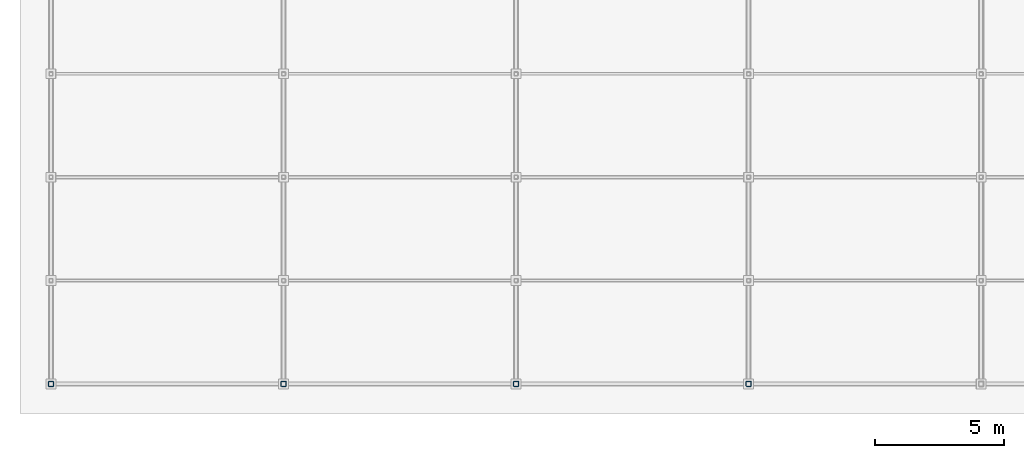
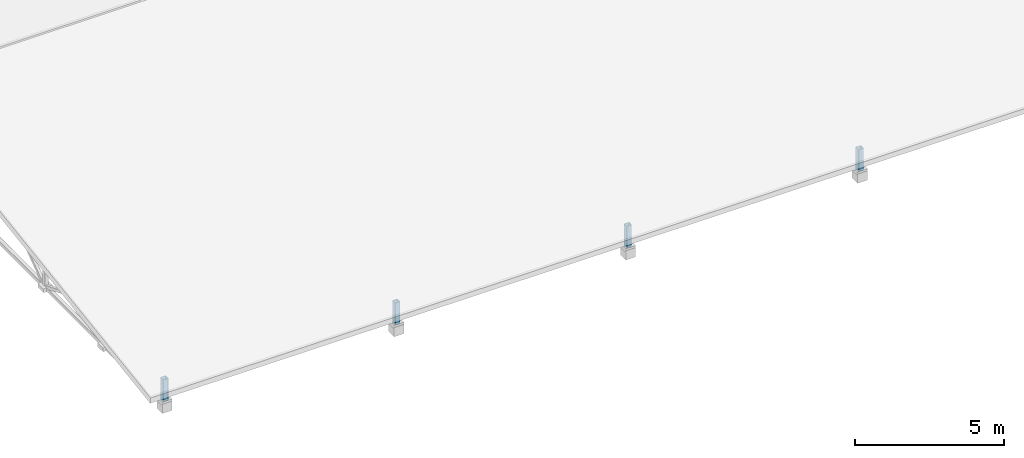
# One storey, part 71 of 118: 4 members.
"""IFC4 building model written with IfcOpenShell, lengths in metres."""

from ifc_helpers import new_model, si_unit, direction, frame, origin, origin_2d, place, context, subcontext, project, spatial, hollow_rectangle, extrude, material, material_profile, profile_set, type_object, element, save


model = new_model("IFC4")

# Units and contexts
model_context = context("Model", 3, precision=1e-05, world=origin(), true_north=direction((0.0, 1.0)))
body_context = subcontext(model_context, "Body", "Model", "MODEL_VIEW")
ifc_project = project(units=[si_unit("LENGTHUNIT", "METRE"), si_unit("AREAUNIT", "SQUARE_METRE"), si_unit("VOLUMEUNIT", "CUBIC_METRE"), si_unit("PLANEANGLEUNIT", "RADIAN"), si_unit("MASSUNIT", "GRAM", prefix="KILO"), si_unit("THERMODYNAMICTEMPERATUREUNIT", "KELVIN"), si_unit("POWERUNIT", "WATT")], contexts=[model_context])

# Site, building, storey
site_placement = place(None, origin())
site = spatial("IfcSite", under=ifc_project, at=site_placement, CompositionType="ELEMENT")
building_placement = place(site_placement, origin())
building = spatial("IfcBuilding", under=site, at=building_placement, Name="Zelmaris Science Centre", CompositionType="ELEMENT")
storey_placement = place(building_placement, frame((0.0, 0.0, 15.60009765625)))
storey = spatial("IfcBuildingStorey", under=building, at=storey_placement, Name="L03", CompositionType="ELEMENT", Elevation=15.60009765625)

# Members
ifc_material = material(Name="Steel ASTM A500 Grade C", Category="steel")
ifc_material_profile = material_profile(ifc_material, hollow_rectangle(XDim=0.203125, YDim=0.203125, WallThickness=0.01171875, InnerFilletRadius=0.01171875, OuterFilletRadius=0.023681640625, at=origin_2d()), Name="HSS203X203X13")
ifc_profile_set = profile_set([ifc_material_profile], Name="Steel ASTM A500 Grade C")
member_type = type_object("IfcMemberType", Name="Structural Brace BR-02 HSS203X203X13", PredefinedType="BRACE", material=ifc_profile_set)
for number, where, z_axis, x_axis, name in (
    (1, (9.0, 8.0, 0.099853515625), (0.0, 0.0, 1.0), (1.0, 0.0, 0.0), "RF-V3 Roof truss 1 end post VS"),
    (2, (18.0, 8.0, 0.099853515625), (0.0, 0.0, 1.0), (1.0, 0.0, 0.0), "RF-V3 Roof truss 2 end post VS"),
    (3, (27.0, 8.0, 0.099853515625), (0.0, 0.0, 1.0), (1.0, 0.0, 0.0), "RF-V3 Roof truss 3 end post VS"),
    (4, (36.0, 8.0, 0.099853515625), (0.0, 0.0, 1.0), (1.0, 0.0, 0.0), "RF-V3 Roof truss 4 end post VS"),
):
    element("IfcMember", number, at=place(storey_placement, frame(where, z_axis=z_axis, x_axis=x_axis)), inside=storey, type_object=member_type, Name=name, PredefinedType="BRACE", context=body_context, shape_type="SweptSolid", body=[
        extrude(hollow_rectangle(XDim=0.203125, YDim=0.203125, WallThickness=0.01171875, InnerFilletRadius=0.01171875, OuterFilletRadius=0.023681640625, at=origin_2d()), origin(), (0.0, 0.0, 1.0), 0.895751953125),
    ])

save(model, "model.ifc")
